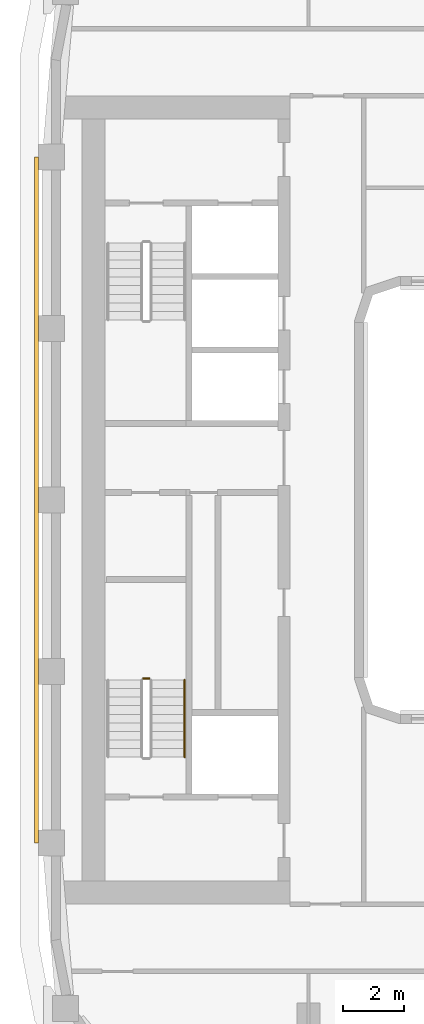
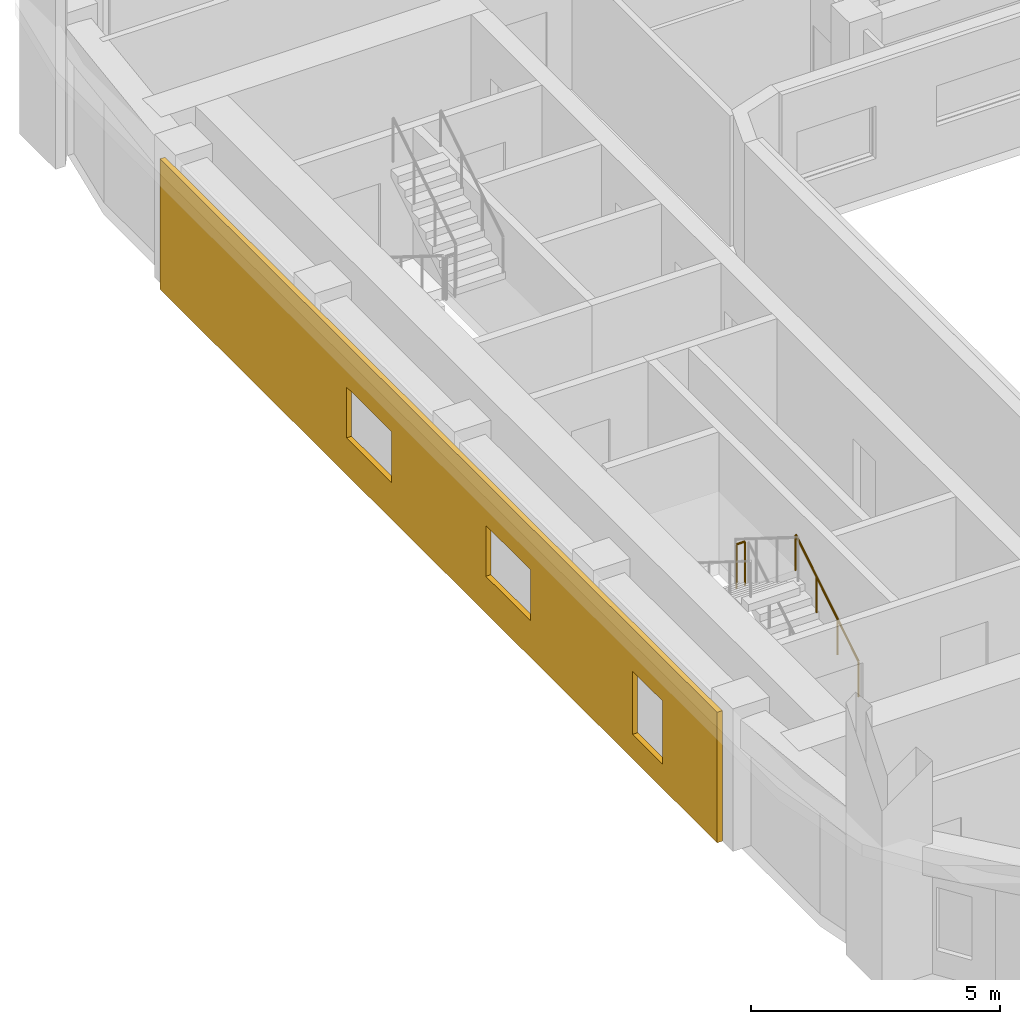
# One storey, part 12 of 21: 2 railings, 1 covering.
"""IFC4 building model written with IfcOpenShell, lengths in metres."""

from ifc_helpers import new_model, si_unit, direction, frame, origin, origin_2d, place, context, subcontext, project, spatial, polyline, circle, outline, extrude, material, layer, layer_set, type_object, element, save


model = new_model("IFC4")

# Units and contexts
model_context = context("Model", 3, precision=1e-05, world=origin(), true_north=direction((0.0, 1.0)))
body_context = subcontext(model_context, "Body", "Model", "MODEL_VIEW")
ifc_project = project(units=[si_unit("LENGTHUNIT", "METRE"), si_unit("AREAUNIT", "SQUARE_METRE"), si_unit("VOLUMEUNIT", "CUBIC_METRE"), si_unit("PLANEANGLEUNIT", "RADIAN"), si_unit("MASSUNIT", "GRAM", prefix="KILO")], contexts=[model_context])

# Site, building, storey
site_placement = place(None, origin())
site = spatial("IfcSite", under=ifc_project, at=site_placement, CompositionType="ELEMENT")
building_placement = place(site_placement, origin())
building = spatial("IfcBuilding", under=site, at=building_placement, Name="Kiln Ring Residences", CompositionType="ELEMENT")
storey_placement = place(building_placement, frame((0.0, 0.0, 213.39990234375)))
storey = spatial("IfcBuildingStorey", under=building, at=storey_placement, Name="L55", CompositionType="ELEMENT", Elevation=213.39990234375)

# Railings
ifc_material_1 = material(Name="Stainless steel", Category="steel")
railing_type_1 = type_object("IfcRailingType", Name="CORE-STAIR-GUARD", PredefinedType="GUARDRAIL", material=ifc_material_1)
railing_1_placement = place(storey_placement, frame((-22.0, -5.830078125, 1.75)))
element("IfcRailing", 1, at=railing_1_placement, inside=storey, type_object=railing_type_1, Name="L55 W-STS stair guard 2", PredefinedType="GUARDRAIL", context=body_context, shape_type="SweptSolid", body=[
    extrude(circle(Radius=0.02392578125, at=origin_2d()), frame((0.0, 0.0, 1.076171875), z_axis=(-1.0, 0.0, 0.0), x_axis=(0.0, -1.0, 0.0)), (0.0, 0.0, 1.0), 0.199951171875),
    extrude(circle(Radius=0.02099609375, at=origin_2d()), origin(), (0.0, 0.0, 1.0), 1.052001953125),
    extrude(circle(Radius=0.02099609375, at=origin_2d()), frame((-0.199951171875, 0.0, 0.0)), (0.0, 0.0, 1.0), 1.052001953125),
])
ifc_material_2 = material(Name="Stainless steel", Category="steel")
railing_type_2 = type_object("IfcRailingType", Name="CORE-STAIR-HANDRAIL", PredefinedType="HANDRAIL", material=ifc_material_2)
railing_2_placement = place(storey_placement, frame((-20.85009765625, -8.39990234375, 0.175048828125)))
element("IfcRailing", 2, at=railing_2_placement, inside=storey, type_object=railing_type_2, Name="L55 W-STS stair handrail 1", PredefinedType="HANDRAIL", context=body_context, shape_type="SweptSolid", body=[
    extrude(circle(Radius=0.02392578125, at=origin_2d()), frame((0.0, 0.0, 0.8759765625), z_axis=(0.0, 0.848007534815, 0.529984170421), x_axis=(-1.0, 0.0, 0.0)), (0.0, 0.0, 1.0), 2.9716796875),
    extrude(circle(Radius=0.02099609375, at=origin_2d()), origin(), (0.0, 0.0, 1.0), 0.851806640625),
    extrude(circle(Radius=0.02099609375, at=origin_2d()), frame((0.0, 0.840087890625, 0.52490234375)), (0.0, 0.0, 1.0), 0.851806640625),
    extrude(circle(Radius=0.02099609375, at=origin_2d()), frame((0.0, 1.679931640625, 1.050048828125)), (0.0, 0.0, 1.0), 0.851806640625),
    extrude(circle(Radius=0.02099609375, at=origin_2d()), frame((0.0, 2.52001953125, 1.574951171875)), (0.0, 0.0, 1.0), 0.851806640625),
])

# Covering
ifc_material_3 = material(Name="Brick masonry, dark clay brick", Category="masonry")
ifc_layer = layer(ifc_material_3, 0.1201171875)
ifc_layer_set = layer_set([ifc_layer], Name="RAINSCREEN PANEL 120")
covering_type = type_object("IfcCoveringType", Name="RAINSCREEN PANEL 120", PredefinedType="CLADDING", material=ifc_layer_set)
covering_placement = place(storey_placement, frame((-25.68505859375, 11.199951171875, 0.0), z_axis=(0.0, 0.0, 1.0), x_axis=(0.0, -1.0, 0.0)))
element("IfcCovering", 3, at=covering_placement, inside=storey, type_object=covering_type, Name="RAINSCREEN L55", PredefinedType="CLADDING", context=body_context, shape_type="SweptSolid", body=[
    extrude(outline(polyline([(0.0, 0.0), (22.39990234375, 0.0), (22.39990234375, 3.2001953125), (0.0, 3.2001953125), (0.0, 0.0)]), holes=[polyline([(20.199951171875, 2.150146484375), (19.0, 2.150146484375), (19.0, 0.60009765625), (20.199951171875, 0.60009765625), (20.199951171875, 2.150146484375)]), polyline([(9.300048828125, 0.900146484375), (9.300048828125, 2.150146484375), (7.5, 2.150146484375), (7.5, 0.900146484375), (9.300048828125, 0.900146484375)]), polyline([(14.89990234375, 0.900146484375), (14.89990234375, 2.150146484375), (13.10009765625, 2.150146484375), (13.10009765625, 0.900146484375), (14.89990234375, 0.900146484375)])]), frame((0.0, 0.06005859375, 0.0), z_axis=(0.0, -1.0, 0.0), x_axis=(1.0, 0.0, 0.0)), (0.0, 0.0, 1.0), 0.1201171875),
])

save(model, "model.ifc")
